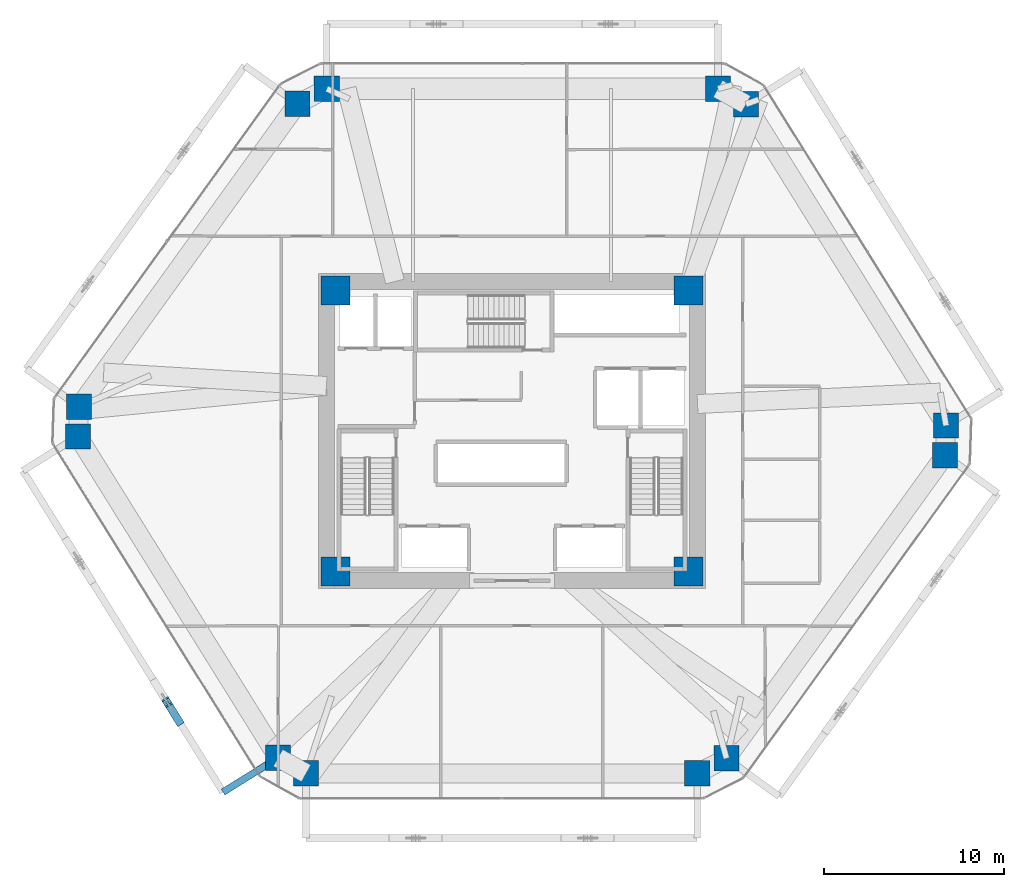
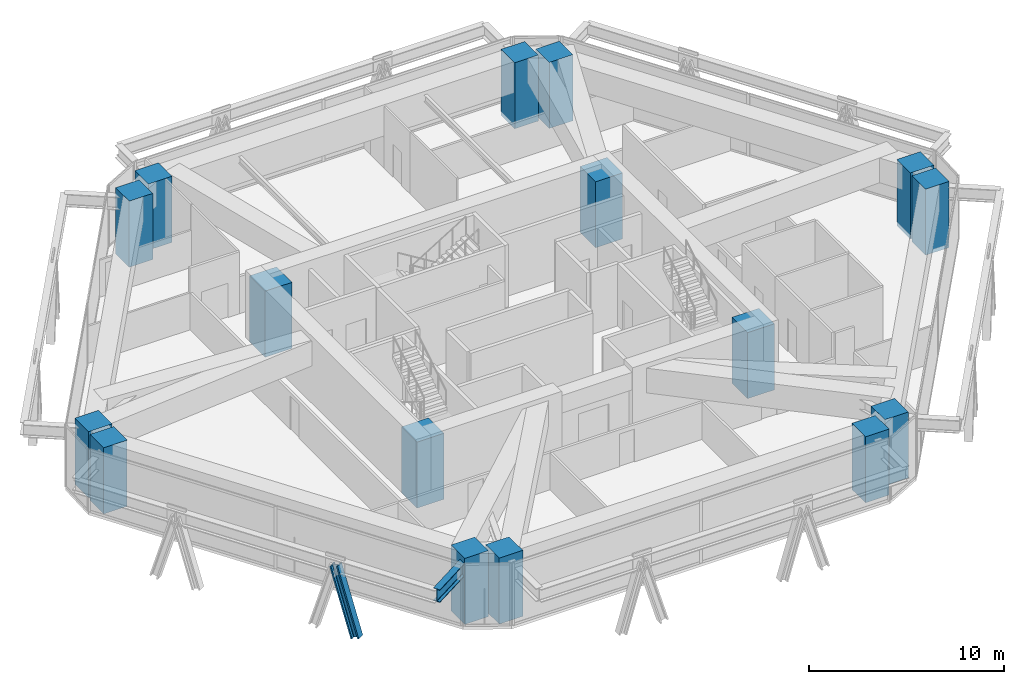
# One storey, part 1 of 16: 16 columns, 1 beam, 1 member.
"""IFC4 building model written with IfcOpenShell, lengths in metres."""

from ifc_helpers import new_model, si_unit, direction, frame, origin, origin_2d, place, context, subcontext, project, spatial, rectangle, i_section, extrude, source, transform, mapped, material, material_profile, profile_set, type_object, type_shapes, element, save


model = new_model("IFC4")

# Units and contexts
model_context = context("Model", 3, precision=1e-05, world=origin(), true_north=direction((0.0, 1.0)))
body_context = subcontext(model_context, "Body", "Model", "MODEL_VIEW")
ifc_project = project(units=[si_unit("LENGTHUNIT", "METRE"), si_unit("AREAUNIT", "SQUARE_METRE"), si_unit("VOLUMEUNIT", "CUBIC_METRE"), si_unit("PLANEANGLEUNIT", "RADIAN"), si_unit("MASSUNIT", "GRAM", prefix="KILO")], contexts=[model_context])

# Site, building, storey
site_placement = place(None, origin())
site = spatial("IfcSite", under=ifc_project, at=site_placement, CompositionType="ELEMENT")
building_placement = place(site_placement, origin())
building = spatial("IfcBuilding", under=site, at=building_placement, Name="Durnholm Broadcast Tower", CompositionType="ELEMENT")
storey_placement = place(building_placement, frame((0.0, 0.0, 84.300048828125)))
storey = spatial("IfcBuildingStorey", under=building, at=storey_placement, Name="L22", CompositionType="ELEMENT", Elevation=84.300048828125)

# Columns
ifc_material_1 = material(Name="Concrete C70/85", Category="concrete")
ifc_material_profile_1 = material_profile(ifc_material_1, rectangle(XDim=1.60009765625, YDim=1.60009765625, at=origin_2d()), Name="RC1600X1600")
ifc_profile_set_1 = profile_set([ifc_material_profile_1], Name="Concrete C70/85")
column_type_1 = type_object("IfcColumnType", Name="COL-CC-1600", PredefinedType="COLUMN", material=ifc_profile_set_1)
shared_shape_1 = source(origin(), body_context, "Body", "SweptSolid", [
    extrude(rectangle(XDim=1.60009765625, YDim=1.60009765625, at=origin_2d()), origin(), (0.0, 0.0, 1.0), 4.139892578125),
])
type_shapes(column_type_1, [shared_shape_1])
for number, where, z_axis, x_axis, name in (
    (1, (-9.800048828125, -7.800048828125, -0.239990234375), (0.0, 0.0, 1.0), (1.0, 0.0, 0.0), "L22 core corner column 1"),
    (2, (9.800048828125, -7.800048828125, -0.239990234375), (0.0, 0.0, 1.0), (1.0, 0.0, 0.0), "L22 core corner column 2"),
    (3, (9.800048828125, 7.800048828125, -0.239990234375), (0.0, 0.0, 1.0), (1.0, 0.0, 0.0), "L22 core corner column 3"),
    (4, (-9.800048828125, 7.800048828125, -0.239990234375), (0.0, 0.0, 1.0), (1.0, 0.0, 0.0), "L22 core corner column 4"),
):
    element("IfcColumn", number, at=place(storey_placement, frame(where, z_axis=z_axis, x_axis=x_axis)), inside=storey, type_object=column_type_1, Name=name, PredefinedType="COLUMN", context=body_context, shape_type="MappedRepresentation", body=[
        mapped(shared_shape_1, transform((0.0, 0.0, 0.0), x_axis=(1.0, 0.0, 0.0), y_axis=(0.0, 1.0, 0.0), z_axis=(0.0, 0.0, 1.0), scale=1.0)),
    ])
ifc_material_profile_2 = material_profile(ifc_material_1, rectangle(XDim=1.39990234375, YDim=1.39990234375, at=origin_2d()), Name="RC1400X1400")
ifc_profile_set_2 = profile_set([ifc_material_profile_2], Name="Concrete C70/85")
column_type_2 = type_object("IfcColumnType", Name="COL-CC-1400", PredefinedType="COLUMN", material=ifc_profile_set_2)
shared_shape_2 = source(origin(), body_context, "Body", "SweptSolid", [
    extrude(rectangle(XDim=1.39990234375, YDim=1.39990234375, at=origin_2d()), origin(), (0.0, 0.0, 1.0), 4.139892578125),
])
type_shapes(column_type_2, [shared_shape_2])
for number, where, z_axis, x_axis, name in (
    (5, (-12.982666015625, -18.138427734375, -0.239990234375), (0.0, 0.0, 1.0), (1.0, 0.0, 0.0), "L22 perimeter hexagonal tube column 01"),
    (6, (-24.0908203125, -0.2998046875, -0.239990234375), (0.0, 0.0, 1.0), (1.0, 0.0, 0.0), "L22 perimeter hexagonal tube column 02"),
    (7, (-24.034912109375, 1.347412109375, -0.239990234375), (0.0, 0.0, 1.0), (1.0, 0.0, 0.0), "L22 perimeter hexagonal tube column 03"),
    (8, (-11.907470703125, 18.16845703125, -0.239990234375), (0.0, 0.0, 1.0), (1.0, 0.0, 0.0), "L22 perimeter hexagonal tube column 04"),
    (9, (-10.28271484375, 19.0, -0.239990234375), (0.0, 0.0, 1.0), (1.0, 0.0, 0.0), "L22 perimeter hexagonal tube column 05"),
    (10, (11.43115234375, 19.0, -0.239990234375), (0.0, 0.0, 1.0), (1.0, 0.0, 0.0), "L22 perimeter hexagonal tube column 06"),
    (11, (12.982666015625, 18.138427734375, -0.239990234375), (0.0, 0.0, 1.0), (1.0, 0.0, 0.0), "L22 perimeter hexagonal tube column 07"),
    (12, (24.0908203125, 0.2998046875, -0.239990234375), (0.0, 0.0, 1.0), (1.0, 0.0, 0.0), "L22 perimeter hexagonal tube column 08"),
    (13, (24.034912109375, -1.347412109375, -0.239990234375), (0.0, 0.0, 1.0), (1.0, 0.0, 0.0), "L22 perimeter hexagonal tube column 09"),
    (14, (11.907470703125, -18.16845703125, -0.239990234375), (0.0, 0.0, 1.0), (1.0, 0.0, 0.0), "L22 perimeter hexagonal tube column 10"),
    (15, (10.28271484375, -19.0, -0.239990234375), (0.0, 0.0, 1.0), (1.0, 0.0, 0.0), "L22 perimeter hexagonal tube column 11"),
    (16, (-11.43115234375, -19.0, -0.239990234375), (0.0, 0.0, 1.0), (1.0, 0.0, 0.0), "L22 perimeter hexagonal tube column 12"),
):
    element("IfcColumn", number, at=place(storey_placement, frame(where, z_axis=z_axis, x_axis=x_axis)), inside=storey, type_object=column_type_2, Name=name, PredefinedType="COLUMN", context=body_context, shape_type="MappedRepresentation", body=[
        mapped(shared_shape_2, transform((0.0, 0.0, 0.0), x_axis=(1.0, 0.0, 0.0), y_axis=(0.0, 1.0, 0.0), z_axis=(0.0, 0.0, 1.0), scale=1.0)),
    ])

# Beam
ifc_material_2 = material(Name="Steel ASTM A992 Grade 50", Category="steel")
ifc_material_profile_3 = material_profile(ifc_material_2, i_section(OverallWidth=0.385009765625, OverallDepth=0.802978515625, WebThickness=0.023681640625, FlangeThickness=0.0419921875, FilletRadius=0.032958984375, at=origin_2d()), Name="W30X261")
ifc_profile_set_3 = profile_set([ifc_material_profile_3], Name="Steel ASTM A992 Grade 50")
beam_type = type_object("IfcBeamType", Name="BM-EXO-TIE", PredefinedType="USERDEFINED", material=ifc_profile_set_3)
shared_shape_3 = source(origin(), body_context, "Body", "SweptSolid", [
    extrude(i_section(OverallWidth=0.385009765625, OverallDepth=0.802978515625, WebThickness=0.023681640625, FlangeThickness=0.0419921875, FilletRadius=0.032958984375, at=origin_2d()), origin(), (0.0, 0.0, 1.0), 3.4560546875),
])
type_shapes(beam_type, [shared_shape_3])
beam_placement = place(storey_placement, frame((-13.10498046875, -18.214599609375, 3.1484375), z_axis=(-0.848854443891, -0.528626648105, 0.0), x_axis=(0.528626648105, -0.848854443891, 0.0)))
element("IfcBeam", 17, at=beam_placement, inside=storey, type_object=beam_type, Name="L22 exoskeleton stand-off tie bracket F6.2", ObjectType="GIRDER", PredefinedType="USERDEFINED", context=body_context, shape_type="MappedRepresentation", body=[
    mapped(shared_shape_3, transform((0.0, 0.0, 0.0), x_axis=(1.0, 0.0, 0.0), y_axis=(0.0, 1.0, 0.0), z_axis=(0.0, 0.0, 1.0), scale=1.0)),
])

# Member
ifc_material_3 = material(Name="Steel ASTM A913 Grade 65", Category="steel")
ifc_material_profile_4 = material_profile(ifc_material_3, i_section(OverallWidth=0.43212890625, OverallDepth=0.497802734375, WebThickness=0.0556640625, FlangeThickness=0.0888671875, FilletRadius=0.030517578125, at=origin_2d()), Name="W14X500")
ifc_profile_set_4 = profile_set([ifc_material_profile_4], Name="Steel ASTM A913 Grade 65")
member_type = type_object("IfcMemberType", Name="STL-DG-W14X500", PredefinedType="BRACE", material=ifc_profile_set_4)
shared_shape_4 = source(origin(), body_context, "Body", "SweptSolid", [
    extrude(i_section(OverallWidth=0.43212890625, OverallDepth=0.497802734375, WebThickness=0.0556640625, FlangeThickness=0.0888671875, FilletRadius=0.030517578125, at=origin_2d()), origin(), (0.0, 0.0, 1.0), 4.31982421875),
])
type_shapes(member_type, [shared_shape_4])
member_placement = place(storey_placement, frame((-18.496826171875, -16.09375, -0.991455078125), z_axis=(-0.150954992472, 0.242454855, 0.958346614506), x_axis=(-0.848908635391, -0.528539618911, 0.0)))
element("IfcMember", 18, at=member_placement, inside=storey, type_object=member_type, Name="L22 stand-off diagrid brace F6.D2.2", PredefinedType="BRACE", context=body_context, shape_type="MappedRepresentation", body=[
    mapped(shared_shape_4, transform((0.0, 0.0, 0.0), x_axis=(1.0, 0.0, 0.0), y_axis=(0.0, 1.0, 0.0), z_axis=(0.0, 0.0, 1.0), scale=1.0)),
])

save(model, "model.ifc")
